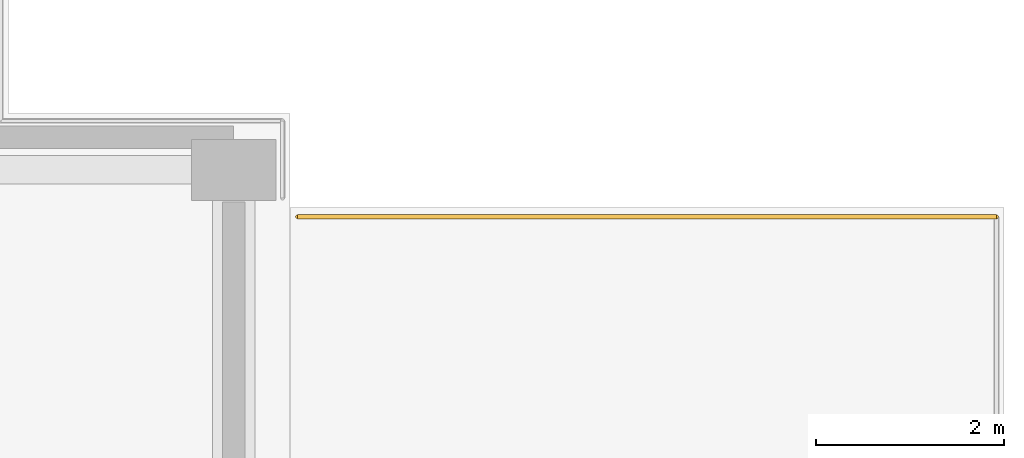
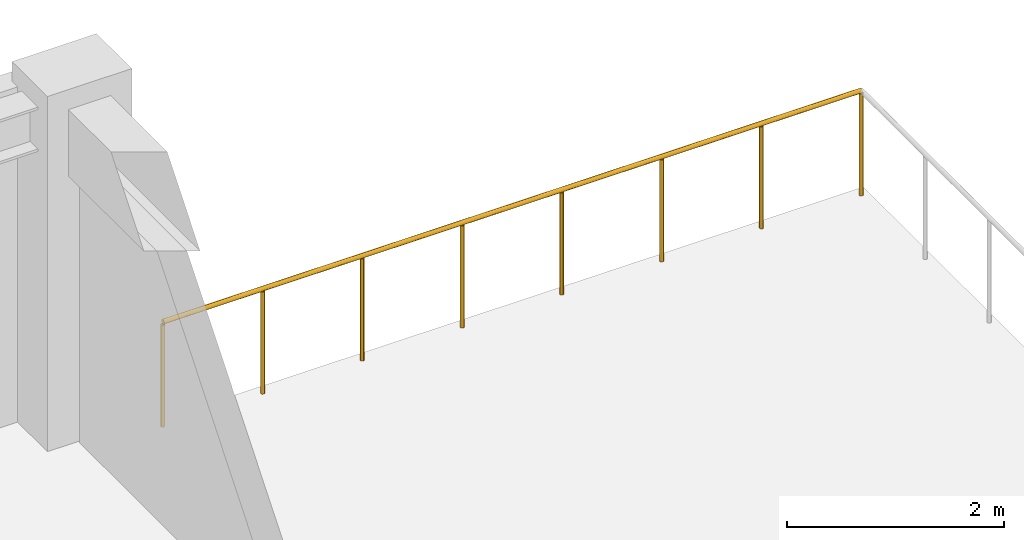
# One storey, part 9 of 9: 1 railing.
"""IFC4 building model written with IfcOpenShell, lengths in metres."""

from ifc_helpers import new_model, si_unit, direction, frame, origin, origin_2d, place, context, subcontext, project, spatial, circle, extrude, material, type_object, element, save


model = new_model("IFC4")

# Units and contexts
model_context = context("Model", 3, precision=1e-05, world=origin(), true_north=direction((0.0, 1.0)))
body_context = subcontext(model_context, "Body", "Model", "MODEL_VIEW")
ifc_project = project(units=[si_unit("LENGTHUNIT", "METRE"), si_unit("AREAUNIT", "SQUARE_METRE"), si_unit("VOLUMEUNIT", "CUBIC_METRE"), si_unit("PLANEANGLEUNIT", "RADIAN"), si_unit("MASSUNIT", "GRAM", prefix="KILO")], contexts=[model_context])

# Site, building, storey
site_placement = place(None, origin())
site = spatial("IfcSite", under=ifc_project, at=site_placement, CompositionType="ELEMENT")
building_placement = place(site_placement, origin())
building = spatial("IfcBuilding", under=site, at=building_placement, Name="Sulina Concourse Tower", CompositionType="ELEMENT")
storey_placement = place(building_placement, frame((0.0, 0.0, 305.0)))
storey = spatial("IfcBuildingStorey", under=building, at=storey_placement, Name="L74", CompositionType="ELEMENT", Elevation=305.0)

# Railing
ifc_material = material(Name="Laminated glass balustrade and steel post", Category="steel")
railing_type = type_object("IfcRailingType", Name="Terrace & Sky-Pool Laminated Guardrail 1200mm", PredefinedType="GUARDRAIL", material=ifc_material)
railing_placement = place(storey_placement, frame((34.679931640625, 41.89990234375, 0.0)))
element("IfcRailing", 1, at=railing_placement, inside=storey, type_object=railing_type, Name="L74 terrace guardrail TER-CR3-3", PredefinedType="GUARDRAIL", context=body_context, shape_type="SweptSolid", body=[
    extrude(circle(Radius=0.02490234375, at=origin_2d()), frame((0.0, 0.0, 1.1748046875), z_axis=(1.0, 0.0, 0.0), x_axis=(0.0, 1.0, 0.0)), (0.0, 0.0, 1.0), 7.440185546875),
    extrude(circle(Radius=0.02099609375, at=origin_2d()), origin(), (0.0, 0.0, 1.0), 1.14990234375),
    extrude(circle(Radius=0.02099609375, at=origin_2d()), frame((1.06298828125, 0.0, 0.0)), (0.0, 0.0, 1.0), 1.14990234375),
    extrude(circle(Radius=0.02099609375, at=origin_2d()), frame((2.125732421875, 0.0, 0.0)), (0.0, 0.0, 1.0), 1.14990234375),
    extrude(circle(Radius=0.02099609375, at=origin_2d()), frame((3.188720703125, 0.0, 0.0)), (0.0, 0.0, 1.0), 1.14990234375),
    extrude(circle(Radius=0.02099609375, at=origin_2d()), frame((4.25146484375, 0.0, 0.0)), (0.0, 0.0, 1.0), 1.14990234375),
    extrude(circle(Radius=0.02099609375, at=origin_2d()), frame((5.314453125, 0.0, 0.0)), (0.0, 0.0, 1.0), 1.14990234375),
    extrude(circle(Radius=0.02099609375, at=origin_2d()), frame((6.377197265625, 0.0, 0.0)), (0.0, 0.0, 1.0), 1.14990234375),
    extrude(circle(Radius=0.02099609375, at=origin_2d()), frame((7.440185546875, 0.0, 0.0)), (0.0, 0.0, 1.0), 1.14990234375),
])

save(model, "model.ifc")
